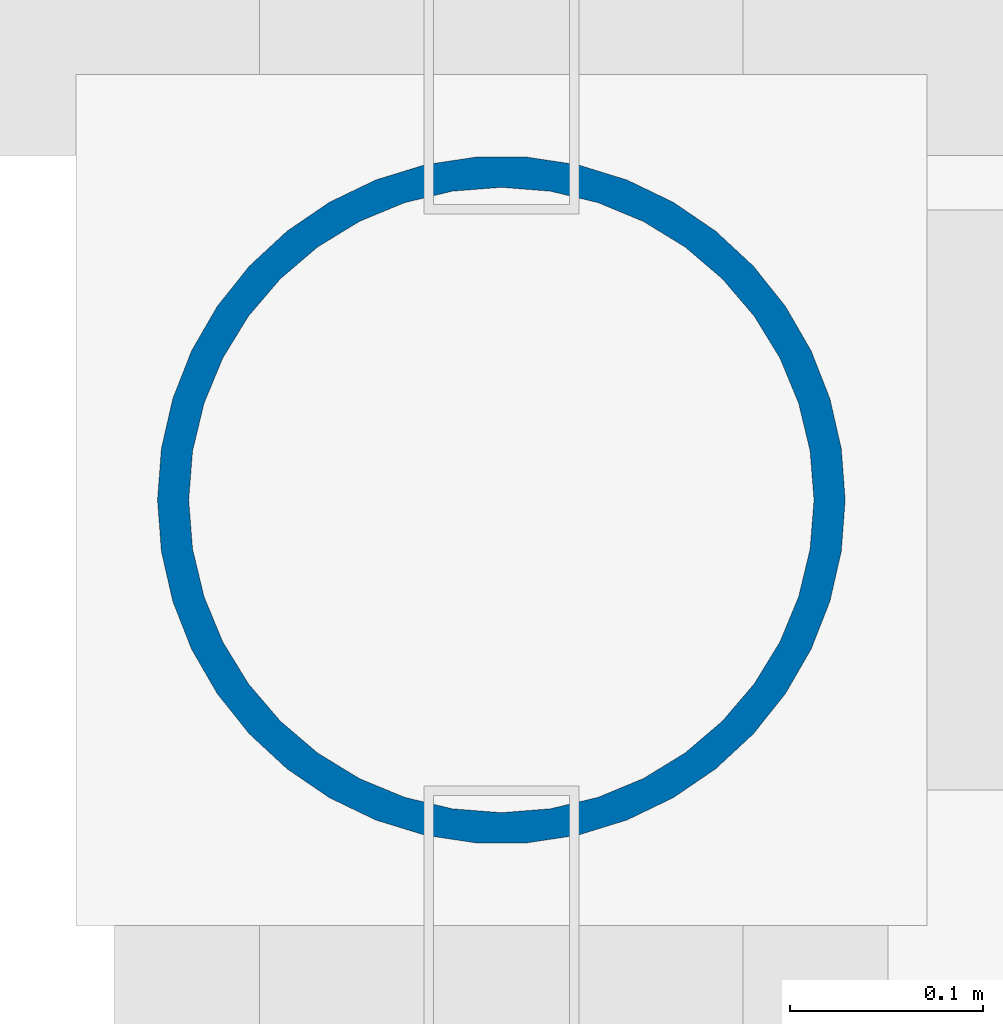
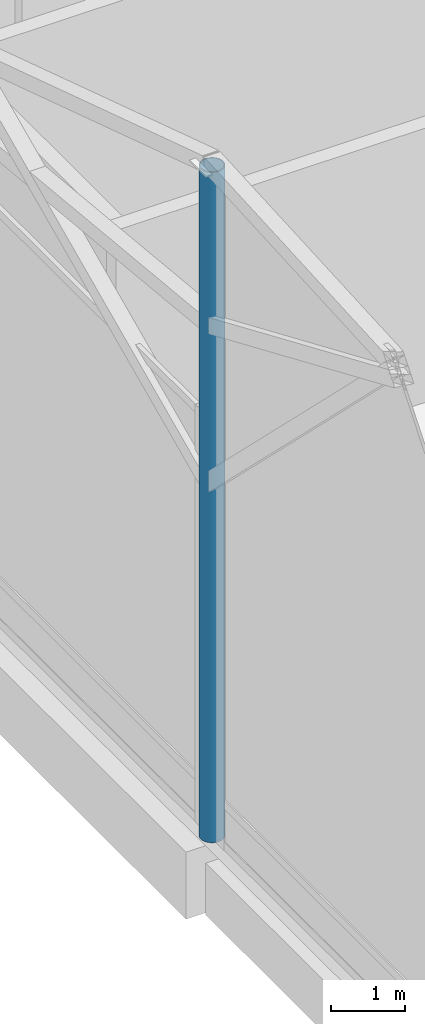
# One storey, part 10 of 220: 1 column.
"""IFC4 building model written with IfcOpenShell, lengths in metres."""

import ifcopenshell
import ifcopenshell.guid

model = None  # the IFC model being written
_history = None  # IfcOwnerHistory: only IFC2X3 demands one
_inside = {}  # id of a spatial element -> (the spatial element, [elements in it])
_under = {}  # id of a project, library or spatial element -> (it, [spatial elements below it])
_declared = {}  # id of a project -> (the project, [libraries it declares])
_typed = {}  # id of a type object -> (the type object, [elements of that type])
_made_of = {}  # id of a material, layer set ... -> (it, [elements and type objects made of it])


def new_model(schema):
    """Start an empty IFC model of exactly this schema.

    Asked for "IFC4X3", IfcOpenShell would pick the latest addendum, in which some entities
    have other attributes; the version numbers below select the first issue.
    IFC2X3 requires an IfcOwnerHistory on every rooted entity: one is made here for all.
    """
    global model, _history
    if schema == "IFC4X3":
        model = ifcopenshell.file(schema_version=(4, 3, 0, 0))
    else:
        model = ifcopenshell.file(schema=schema)
    _inside.clear()
    _under.clear()
    _declared.clear()
    _typed.clear()
    _made_of.clear()
    _history = None
    if model.schema == "IFC2X3":
        org = make("IfcOrganization", Name="unknown")
        user = make(
            "IfcPersonAndOrganization",
            ThePerson=make("IfcPerson", FamilyName="unknown"),
            TheOrganization=org,
        )
        app = make(
            "IfcApplication",
            ApplicationDeveloper=org,
            Version="unknown",
            ApplicationFullName="unknown",
            ApplicationIdentifier="unknown",
        )
        _history = make(
            "IfcOwnerHistory",
            OwningUser=user,
            OwningApplication=app,
            ChangeAction="ADDED",
            CreationDate=0,
        )
    return model


def make(cls, **values):
    """One entity of the class cls with the attributes given. An attribute that is None is left unset."""
    return model.create_entity(
        cls, **{name: value for name, value in values.items() if value is not None}
    )


def rooted(cls, **values):
    """An entity with a GlobalId (a new one), such as an element, a storey or a relation."""
    return make(cls, GlobalId=ifcopenshell.guid.new(), OwnerHistory=_history, **values)


def si_unit(unit_type, name, prefix=None):
    """IfcSIUnit, for example si_unit("LENGTHUNIT", "METRE", prefix="MILLI")."""
    return make("IfcSIUnit", UnitType=unit_type, Prefix=prefix, Name=name)


def assignment(units):
    """IfcUnitAssignment: the units of a project."""
    return None if units is None else make("IfcUnitAssignment", Units=units)


def point(xyz):
    """IfcCartesianPoint."""
    return None if xyz is None else make("IfcCartesianPoint", Coordinates=xyz)


def direction(xyz):
    """IfcDirection."""
    return None if xyz is None else make("IfcDirection", DirectionRatios=xyz)


def frame(location, z_axis=None, x_axis=None):
    """IfcAxis2Placement3D, a coordinate frame: its origin and axes. An axis left out is left unset."""
    return make(
        "IfcAxis2Placement3D",
        Location=point(location),
        Axis=direction(z_axis),
        RefDirection=direction(x_axis),
    )


def frame_2d(location, x_axis=None):
    """IfcAxis2Placement2D, a coordinate frame in the plane: its origin and x axis."""
    return make(
        "IfcAxis2Placement2D", Location=point(location), RefDirection=direction(x_axis)
    )


def origin():
    """The frame at (0, 0, 0) with its axes left unset."""
    return frame((0.0, 0.0, 0.0))


def origin_2d():
    """The frame at (0, 0) in the plane with its x axis left unset."""
    return frame_2d((0.0, 0.0))


def place(relative_to, where):
    """IfcLocalPlacement: puts the frame where relative to a parent placement (None: the world)."""
    return make(
        "IfcLocalPlacement", PlacementRelTo=relative_to, RelativePlacement=where
    )


def context(
    kind, dimensions, precision=None, world=None, true_north=None, identifier=None
):
    """IfcGeometricRepresentationContext, for example the 3D "Model" context."""
    return make(
        "IfcGeometricRepresentationContext",
        ContextIdentifier=identifier,
        ContextType=kind,
        CoordinateSpaceDimension=dimensions,
        Precision=precision,
        WorldCoordinateSystem=world,
        TrueNorth=true_north,
    )


def subcontext(parent, identifier, kind, view, scale=None):
    """IfcGeometricRepresentationSubContext, for example "Body" below "Model"."""
    return make(
        "IfcGeometricRepresentationSubContext",
        ContextIdentifier=identifier,
        ContextType=kind,
        ParentContext=parent,
        TargetScale=scale,
        TargetView=view,
    )


def project(units=None, contexts=None):
    """IfcProject with its units and contexts."""
    return rooted(
        "IfcProject",
        Name="project",
        RepresentationContexts=contexts,
        UnitsInContext=assignment(units),
    )


def spatial(cls, under=None, at=None, **own):
    """A site, building, storey or space (cls), placed at a placement, below another one or the project."""
    s = rooted(cls, ObjectPlacement=at, **own)
    if under is not None:
        _under.setdefault(under.id(), (under, []))[1].append(s)
    return s


def profile(cls, at=None, kind="AREA", **sizes):
    """A parametric profile (cls). Its sizes go by their IFC names, for example OverallWidth=200.0."""
    return make(cls, ProfileType=kind, Position=at, **sizes)


def hollow_circle(**sizes):
    """IfcCircleHollowProfileDef."""
    return profile("IfcCircleHollowProfileDef", **sizes)


def extrude(swept, where, along, depth):
    """IfcExtrudedAreaSolid: the profile swept, set in the frame where, extruded along a direction by depth."""
    return make(
        "IfcExtrudedAreaSolid",
        SweptArea=swept,
        Position=where,
        ExtrudedDirection=direction(along),
        Depth=depth,
    )


def shape(context_of_items, identifier, shape_type, items):
    """IfcShapeRepresentation: the items that make up one representation, for example the "Body"."""
    return make(
        "IfcShapeRepresentation",
        ContextOfItems=context_of_items,
        RepresentationIdentifier=identifier,
        RepresentationType=shape_type,
        Items=items,
    )


def material(Name=None, Category=None):
    """IfcMaterial."""
    return make("IfcMaterial", Name=Name, Category=Category)


def material_profile(
    of_material, cross_section, Name=None, Category=None, Priority=None
):
    """IfcMaterialProfile: a cross section and its material."""
    return make(
        "IfcMaterialProfile",
        Name=Name,
        Material=of_material,
        Profile=cross_section,
        Priority=Priority,
        Category=Category,
    )


def profile_set(profiles, Name=None, composite=None):
    """IfcMaterialProfileSet."""
    return make(
        "IfcMaterialProfileSet",
        Name=Name,
        MaterialProfiles=profiles,
        CompositeProfile=composite,
    )


def made_of(thing, what):
    """Note that an element or type object is made of a material, layer set ...; save() writes the relation."""
    if what is not None:
        _made_of.setdefault(what.id(), (what, []))[1].append(thing)
    return thing


def type_object(cls, material=None, **own):
    """A type object (cls), such as IfcWallType, which elements share."""
    return made_of(rooted(cls, **own), material)


def element(
    cls,
    number,
    at=None,
    inside=None,
    cuts=None,
    type_object=None,
    material=None,
    context=None,
    identifier="Body",
    shape_type=None,
    held_by="IfcProductDefinitionShape",
    body=None,
    shapes=None,
    **own,
):
    """One element of the class cls, such as IfcWall. Its Tag is "e" and its number.

    at: its placement. inside: the storey or other place that contains it. cuts: it is an
    opening in that element (IfcRelVoidsElement). A single representation is given by context,
    identifier, shape_type and body (its items); several are given by shapes. held_by: the class
    of the entity that holds the representations. save() writes the other relations.
    """
    e = rooted(cls, Tag="e%d" % number, ObjectPlacement=at, **own)
    if body is not None:
        shapes = [shape(context, identifier, shape_type, body)]
    if shapes is not None:
        e.Representation = make(held_by, Representations=shapes)
    if inside is not None:
        _inside.setdefault(inside.id(), (inside, []))[1].append(e)
    if cuts is not None:
        rooted(
            "IfcRelVoidsElement", RelatingBuildingElement=cuts, RelatedOpeningElement=e
        )
    if type_object is not None:
        _typed.setdefault(type_object.id(), (type_object, []))[1].append(e)
    return made_of(e, material)


def aggregate(whole, parts):
    """IfcRelAggregates: a whole, such as a stair, and the parts it consists of."""
    return rooted("IfcRelAggregates", RelatingObject=whole, RelatedObjects=parts)


def save(model, path):
    """Write the relations noted so far, then the file.

    IfcRelAggregates (storeys below a building ...), IfcRelContainedInSpatialStructure (elements
    in a storey), IfcRelDefinesByType, IfcRelAssociatesMaterial and IfcRelDeclares: one each for
    every whole, place, type object, material and project.
    """
    for whole, parts in _under.values():
        aggregate(whole, parts)
    for where, things in _inside.values():
        rooted(
            "IfcRelContainedInSpatialStructure",
            RelatedElements=things,
            RelatingStructure=where,
        )
    for kind, things in _typed.values():
        rooted("IfcRelDefinesByType", RelatedObjects=things, RelatingType=kind)
    for what, things in _made_of.values():
        rooted("IfcRelAssociatesMaterial", RelatedObjects=things, RelatingMaterial=what)
    for by, libraries in _declared.values():
        rooted("IfcRelDeclares", RelatingContext=by, RelatedDefinitions=libraries)
    model.write(path)


model = new_model("IFC4")

# Units and contexts
model_context = context("Model", 3, precision=1e-05, world=origin(), true_north=direction((0.0, 1.0)))
body_context = subcontext(model_context, "Body", "Model", "MODEL_VIEW")
ifc_project = project(units=[si_unit("LENGTHUNIT", "METRE"), si_unit("AREAUNIT", "SQUARE_METRE"), si_unit("VOLUMEUNIT", "CUBIC_METRE"), si_unit("PLANEANGLEUNIT", "RADIAN"), si_unit("MASSUNIT", "GRAM", prefix="KILO")], contexts=[model_context])

# Site, building, storey
site_placement = place(None, origin())
site = spatial("IfcSite", under=ifc_project, at=site_placement, CompositionType="ELEMENT")
building_placement = place(site_placement, origin())
building = spatial("IfcBuilding", under=site, at=building_placement, Name="Cendralis Lancet Convention Centre", CompositionType="ELEMENT")
storey_placement = place(building_placement, frame((0.0, 0.0, 5.39990234375)))
storey = spatial("IfcBuildingStorey", under=building, at=storey_placement, Name="L01", CompositionType="ELEMENT", Elevation=5.39990234375)

# Column
ifc_material = material(Name="Steel S355", Category="steel")
ifc_material_profile = material_profile(ifc_material, hollow_circle(Radius=0.177734375, WallThickness=0.01611328125, at=origin_2d()), Name="CHS 355.6x16.0")
ifc_profile_set = profile_set([ifc_material_profile], Name="Steel S355")
column_type = type_object("IfcColumnType", Name="STR-COL-C28", PredefinedType="COLUMN", material=ifc_profile_set)
column_placement = place(storey_placement, frame((0.0, 122.39990234375, 0.0), z_axis=(0.0, 0.0, 1.0), x_axis=(1.0, 0.0, 0.0)))
element("IfcColumn", 1, at=column_placement, inside=storey, type_object=column_type, Name="L01 Column C28 at 0.0,122.4", PredefinedType="COLUMN", context=body_context, shape_type="SweptSolid", body=[
    extrude(hollow_circle(Radius=0.177734375, WallThickness=0.01611328125, at=origin_2d()), origin(), (0.0, 0.0, 1.0), 11.0009765625),
])

save(model, "model.ifc")
